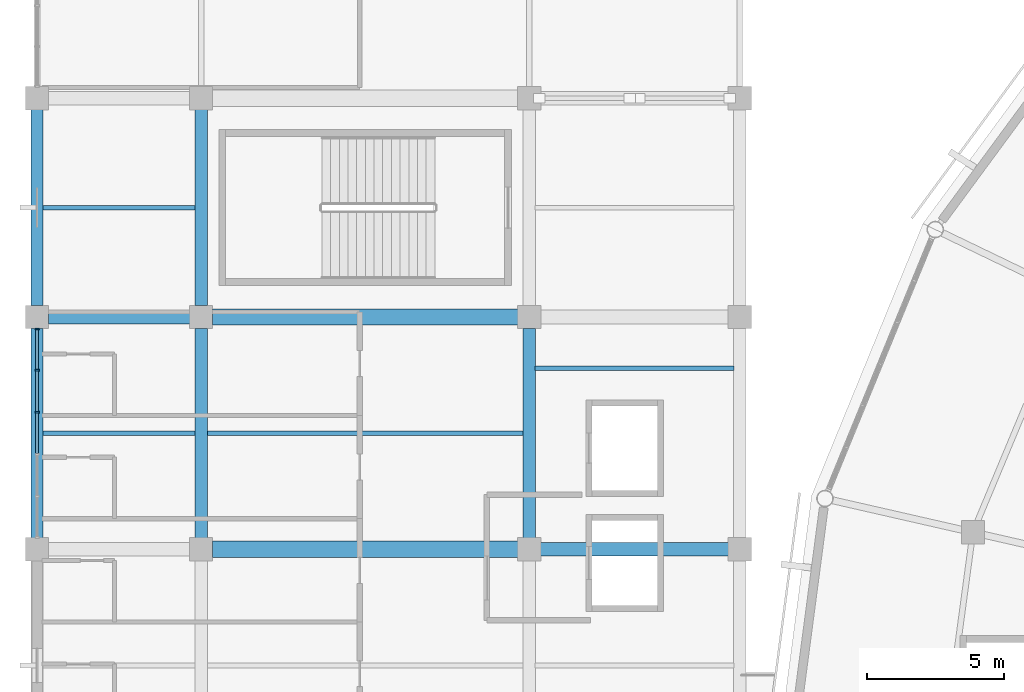
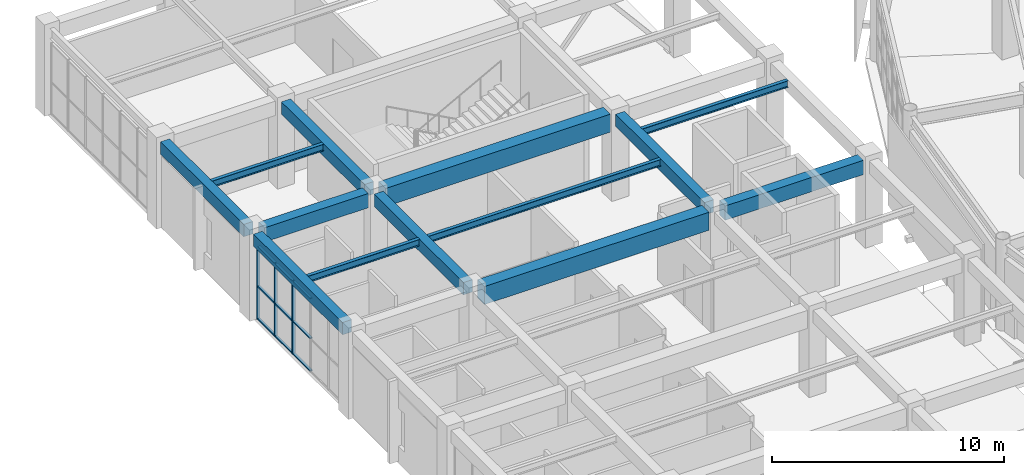
# One storey, part 36 of 112: 13 beams, 12 members, 1 element without a shape of its own.
"""IFC4 building model written with IfcOpenShell, lengths in metres."""

from ifc_helpers import new_model, si_unit, direction, frame, origin, origin_2d, place, context, subcontext, project, spatial, rectangle, i_section, extrude, material, material_profile, profile_set, type_object, element, aggregate, save


model = new_model("IFC4")

# Units and contexts
model_context = context("Model", 3, precision=1e-05, world=origin(), true_north=direction((0.0, 1.0)))
body_context = subcontext(model_context, "Body", "Model", "MODEL_VIEW")
ifc_project = project(units=[si_unit("LENGTHUNIT", "METRE"), si_unit("AREAUNIT", "SQUARE_METRE"), si_unit("VOLUMEUNIT", "CUBIC_METRE"), si_unit("PLANEANGLEUNIT", "RADIAN"), si_unit("MASSUNIT", "GRAM", prefix="KILO")], contexts=[model_context])

# Site, building, storey
site_placement = place(None, origin())
site = spatial("IfcSite", under=ifc_project, at=site_placement, CompositionType="ELEMENT")
building_placement = place(site_placement, origin())
building = spatial("IfcBuilding", under=site, at=building_placement, Name="Cuetzalor Civic Arena", CompositionType="ELEMENT")
storey_placement = place(building_placement, frame((0.0, 0.0, 11.39990234375)))
storey = spatial("IfcBuildingStorey", under=building, at=storey_placement, Name="L02", CompositionType="ELEMENT", Elevation=11.39990234375)

# Beams
ifc_material_1 = material(Name="Concrete C40/50", Category="concrete")
ifc_material_profile_1 = material_profile(ifc_material_1, rectangle(XDim=0.5, YDim=0.75, at=origin_2d()), Name="RC 500x750")
ifc_profile_set_1 = profile_set([ifc_material_profile_1], Name="Concrete C40/50")
beam_type_1 = type_object("IfcBeamType", Name="ConcreteFrameBeam_500x750", PredefinedType="BEAM", material=ifc_profile_set_1)
beam_1_placement = place(storey_placement, frame((-63.5849609375, 8.5, 4.14501953125), z_axis=(1.0, 0.0, 0.0), x_axis=(0.0, 1.0, 0.0)))
element("IfcBeam", 1, at=beam_1_placement, inside=storey, type_object=beam_type_1, Name="Frame Girder V4W-L02-X0648", PredefinedType="BEAM", context=body_context, shape_type="SweptSolid", body=[
    extrude(rectangle(XDim=0.5, YDim=0.75, at=origin_2d()), origin(), (0.0, 0.0, 1.0), 6.869873046875),
])
beam_2_placement = place(storey_placement, frame((-81.5849609375, 17.0, 4.14501953125), z_axis=(1.0, 0.0, 0.0), x_axis=(0.0, 1.0, 0.0)))
element("IfcBeam", 2, at=beam_2_placement, inside=storey, type_object=beam_type_1, Name="Frame Girder V4W-L02-X0649", PredefinedType="BEAM", context=body_context, shape_type="SweptSolid", body=[
    extrude(rectangle(XDim=0.5, YDim=0.75, at=origin_2d()), origin(), (0.0, 0.0, 1.0), 5.169921875),
])
ifc_material_2 = material(Name="Concrete C40/50", Category="concrete")
ifc_material_profile_2 = material_profile(ifc_material_2, rectangle(XDim=0.60009765625, YDim=0.949951171875, at=origin_2d()), Name="RC 600x950")
ifc_profile_set_2 = profile_set([ifc_material_profile_2], Name="Concrete C40/50")
beam_type_2 = type_object("IfcBeamType", Name="ConcreteFrameBeam_600x950", PredefinedType="BEAM", material=ifc_profile_set_2)
for number, where, z_axis, x_axis, name in (
    (3, (-75.5849609375, 8.5, 4.045166015625), (1.0, 0.0, 0.0), (0.0, 1.0, 0.0), "Frame Girder V4W-L02-X0647"),
    (4, (-75.5849609375, 17.0, 4.045166015625), (1.0, 0.0, 0.0), (0.0, 1.0, 0.0), "Frame Girder V4W-L02-X0650"),
):
    element("IfcBeam", number, at=place(storey_placement, frame(where, z_axis=z_axis, x_axis=x_axis)), inside=storey, type_object=beam_type_2, Name=name, PredefinedType="BEAM", context=body_context, shape_type="SweptSolid", body=[
        extrude(rectangle(XDim=0.60009765625, YDim=0.949951171875, at=origin_2d()), origin(), (0.0, 0.0, 1.0), 11.169921875),
    ])
ifc_material_3 = material(Name="Concrete C40/50", Category="concrete")
ifc_material_profile_3 = material_profile(ifc_material_3, rectangle(XDim=0.449951171875, YDim=0.64990234375, at=origin_2d()), Name="RC 450x650")
ifc_profile_set_3 = profile_set([ifc_material_profile_3], Name="Concrete C40/50")
beam_type_3 = type_object("IfcBeamType", Name="ConcreteTieBeam_450x650", PredefinedType="BEAM", material=ifc_profile_set_3)
beam_3_placement = place(storey_placement, frame((-82.0, 8.9150390625, 4.195068359375), z_axis=(0.0, 1.0, 0.0), x_axis=(-1.0, 0.0, 0.0)))
element("IfcBeam", 5, at=beam_3_placement, inside=storey, type_object=beam_type_3, Name="Frame Girder V4W-L02-Y0665", PredefinedType="BEAM", context=body_context, shape_type="SweptSolid", body=[
    extrude(rectangle(XDim=0.449951171875, YDim=0.64990234375, at=origin_2d()), origin(), (0.0, 0.0, 1.0), 7.669921875),
])
beam_4_placement = place(storey_placement, frame((-82.0, 17.4150390625, 4.195068359375), z_axis=(0.0, 1.0, 0.0), x_axis=(-1.0, 0.0, 0.0)))
element("IfcBeam", 6, at=beam_4_placement, inside=storey, type_object=beam_type_3, Name="Frame Girder V4W-L02-Y0666", PredefinedType="BEAM", context=body_context, shape_type="SweptSolid", body=[
    extrude(rectangle(XDim=0.449951171875, YDim=0.64990234375, at=origin_2d()), origin(), (0.0, 0.0, 1.0), 7.169921875),
])
beam_5_placement = place(storey_placement, frame((-76.0, 8.9150390625, 4.195068359375), z_axis=(0.0, 1.0, 0.0), x_axis=(-1.0, 0.0, 0.0)))
element("IfcBeam", 7, at=beam_5_placement, inside=storey, type_object=beam_type_3, Name="Frame Girder V4W-L02-Y0675", PredefinedType="BEAM", context=body_context, shape_type="SweptSolid", body=[
    extrude(rectangle(XDim=0.449951171875, YDim=0.64990234375, at=origin_2d()), origin(), (0.0, 0.0, 1.0), 7.669921875),
])
beam_6_placement = place(storey_placement, frame((-76.0, 17.4150390625, 4.195068359375), z_axis=(0.0, 1.0, 0.0), x_axis=(-1.0, 0.0, 0.0)))
element("IfcBeam", 8, at=beam_6_placement, inside=storey, type_object=beam_type_3, Name="Frame Girder V4W-L02-Y0676", PredefinedType="BEAM", context=body_context, shape_type="SweptSolid", body=[
    extrude(rectangle(XDim=0.449951171875, YDim=0.64990234375, at=origin_2d()), origin(), (0.0, 0.0, 1.0), 7.169921875),
])
beam_7_placement = place(storey_placement, frame((-64.0, 8.9150390625, 4.195068359375), z_axis=(0.0, 1.0, 0.0), x_axis=(-1.0, 0.0, 0.0)))
element("IfcBeam", 9, at=beam_7_placement, inside=storey, type_object=beam_type_3, Name="Frame Girder V4W-L02-Y0685", PredefinedType="BEAM", context=body_context, shape_type="SweptSolid", body=[
    extrude(rectangle(XDim=0.449951171875, YDim=0.64990234375, at=origin_2d()), origin(), (0.0, 0.0, 1.0), 7.669921875),
])

# Curtain wall, members
ifc_material_4 = material(Name="Anodised dark bronze aluminium and low-E solar glass", Category="aluminium")
curtain_wall_type = type_object("IfcCurtainWallType", Name="UnitisedCW_7700x3850", PredefinedType="USERDEFINED", material=ifc_material_4)
curtain_wall_placement = place(storey_placement, origin())
curtain_wall = element("IfcCurtainWall", 10, at=curtain_wall_placement, inside=storey, type_object=curtain_wall_type, Name="V4W Suite Viewing Curtain Wall L02-116", ObjectType="UNITISED CURTAIN WALL", PredefinedType="USERDEFINED")
ifc_material_5 = material(Name="Anodised dark bronze aluminium", Category="aluminium")
ifc_material_profile_4 = material_profile(ifc_material_5, rectangle(XDim=0.06494140625, YDim=0.14990234375, at=origin_2d()), Name="ALU MULLION 65x150")
ifc_profile_set_4 = profile_set([ifc_material_profile_4], Name="Anodised dark bronze aluminium")
member_type_1 = type_object("IfcMemberType", Name="CurtainWallMullion_60x150", PredefinedType="MULLION", material=ifc_profile_set_4)
member_1_placement = place(storey_placement, frame((-82.0, 13.5185546875, 0.0), z_axis=(0.0, 0.0, 1.0), x_axis=(0.0, 1.0, 0.0)))
member_1 = element("IfcMember", 11, at=member_1_placement, type_object=member_type_1, Name="CW-42 mullion 4", PredefinedType="MULLION", context=body_context, shape_type="SweptSolid", body=[
    extrude(rectangle(XDim=0.06494140625, YDim=0.14990234375, at=origin_2d()), origin(), (0.0, 0.0, 1.0), 3.860107421875),
])
member_2_placement = place(storey_placement, frame((-82.0, 15.055908203125, 0.0), z_axis=(0.0, 0.0, 1.0), x_axis=(0.0, 1.0, 0.0)))
member_2 = element("IfcMember", 12, at=member_2_placement, type_object=member_type_1, Name="CW-42 mullion 5", PredefinedType="MULLION", context=body_context, shape_type="SweptSolid", body=[
    extrude(rectangle(XDim=0.06494140625, YDim=0.14990234375, at=origin_2d()), origin(), (0.0, 0.0, 1.0), 3.860107421875),
])
member_3_placement = place(storey_placement, frame((-82.0, 16.560546875, 0.0), z_axis=(0.0, 0.0, 1.0), x_axis=(0.0, 1.0, 0.0)))
member_3 = element("IfcMember", 13, at=member_3_placement, type_object=member_type_1, Name="CW-42 mullion 6", PredefinedType="MULLION", context=body_context, shape_type="SweptSolid", body=[
    extrude(rectangle(XDim=0.06494140625, YDim=0.14990234375, at=origin_2d()), origin(), (0.0, 0.0, 1.0), 3.860107421875),
])
ifc_material_6 = material(Name="Anodised dark bronze aluminium", Category="aluminium")
ifc_material_profile_5 = material_profile(ifc_material_6, rectangle(XDim=0.1201171875, YDim=0.06494140625, at=origin_2d()), Name="ALU TRANSOM 65x120")
ifc_profile_set_5 = profile_set([ifc_material_profile_5], Name="Anodised dark bronze aluminium")
member_type_2 = type_object("IfcMemberType", Name="CurtainWallTransom_60x120", PredefinedType="USERDEFINED", material=ifc_profile_set_5)
member_4_placement = place(storey_placement, frame((-82.0, 12.013916015625, 0.03271484375), z_axis=(0.0, 1.0, 0.0), x_axis=(-1.0, 0.0, 0.0)))
member_4 = element("IfcMember", 14, at=member_4_placement, type_object=member_type_2, Name="CW-42 transom 3.1", ObjectType="TRANSOM", PredefinedType="USERDEFINED", context=body_context, shape_type="SweptSolid", body=[
    extrude(rectangle(XDim=0.1201171875, YDim=0.06494140625, at=origin_2d()), origin(), (0.0, 0.0, 1.0), 1.47216796875),
])
member_5_placement = place(storey_placement, frame((-82.0, 12.013916015625, 1.737060546875), z_axis=(0.0, 1.0, 0.0), x_axis=(-1.0, 0.0, 0.0)))
member_5 = element("IfcMember", 15, at=member_5_placement, type_object=member_type_2, Name="CW-42 transom 3.2", ObjectType="TRANSOM", PredefinedType="USERDEFINED", context=body_context, shape_type="SweptSolid", body=[
    extrude(rectangle(XDim=0.1201171875, YDim=0.06494140625, at=origin_2d()), origin(), (0.0, 0.0, 1.0), 1.47216796875),
])
member_6_placement = place(storey_placement, frame((-82.0, 12.013916015625, 3.82763671875), z_axis=(0.0, 1.0, 0.0), x_axis=(-1.0, 0.0, 0.0)))
member_6 = element("IfcMember", 16, at=member_6_placement, type_object=member_type_2, Name="CW-42 transom 3.3", ObjectType="TRANSOM", PredefinedType="USERDEFINED", context=body_context, shape_type="SweptSolid", body=[
    extrude(rectangle(XDim=0.1201171875, YDim=0.06494140625, at=origin_2d()), origin(), (0.0, 0.0, 1.0), 1.47216796875),
])
member_7_placement = place(storey_placement, frame((-82.0, 13.551025390625, 0.03271484375), z_axis=(0.0, 1.0, 0.0), x_axis=(-1.0, 0.0, 0.0)))
member_7 = element("IfcMember", 17, at=member_7_placement, type_object=member_type_2, Name="CW-42 transom 4.1", ObjectType="TRANSOM", PredefinedType="USERDEFINED", context=body_context, shape_type="SweptSolid", body=[
    extrude(rectangle(XDim=0.1201171875, YDim=0.06494140625, at=origin_2d()), origin(), (0.0, 0.0, 1.0), 1.47216796875),
])
member_8_placement = place(storey_placement, frame((-82.0, 13.551025390625, 1.737060546875), z_axis=(0.0, 1.0, 0.0), x_axis=(-1.0, 0.0, 0.0)))
member_8 = element("IfcMember", 18, at=member_8_placement, type_object=member_type_2, Name="CW-42 transom 4.2", ObjectType="TRANSOM", PredefinedType="USERDEFINED", context=body_context, shape_type="SweptSolid", body=[
    extrude(rectangle(XDim=0.1201171875, YDim=0.06494140625, at=origin_2d()), origin(), (0.0, 0.0, 1.0), 1.47216796875),
])
member_9_placement = place(storey_placement, frame((-82.0, 13.551025390625, 3.82763671875), z_axis=(0.0, 1.0, 0.0), x_axis=(-1.0, 0.0, 0.0)))
member_9 = element("IfcMember", 19, at=member_9_placement, type_object=member_type_2, Name="CW-42 transom 4.3", ObjectType="TRANSOM", PredefinedType="USERDEFINED", context=body_context, shape_type="SweptSolid", body=[
    extrude(rectangle(XDim=0.1201171875, YDim=0.06494140625, at=origin_2d()), origin(), (0.0, 0.0, 1.0), 1.47216796875),
])
member_10_placement = place(storey_placement, frame((-82.0, 15.08837890625, 0.03271484375), z_axis=(0.0, 1.0, 0.0), x_axis=(-1.0, 0.0, 0.0)))
member_10 = element("IfcMember", 20, at=member_10_placement, type_object=member_type_2, Name="CW-42 transom 5.1", ObjectType="TRANSOM", PredefinedType="USERDEFINED", context=body_context, shape_type="SweptSolid", body=[
    extrude(rectangle(XDim=0.1201171875, YDim=0.06494140625, at=origin_2d()), origin(), (0.0, 0.0, 1.0), 1.439697265625),
])
member_11_placement = place(storey_placement, frame((-82.0, 15.08837890625, 1.737060546875), z_axis=(0.0, 1.0, 0.0), x_axis=(-1.0, 0.0, 0.0)))
member_11 = element("IfcMember", 21, at=member_11_placement, type_object=member_type_2, Name="CW-42 transom 5.2", ObjectType="TRANSOM", PredefinedType="USERDEFINED", context=body_context, shape_type="SweptSolid", body=[
    extrude(rectangle(XDim=0.1201171875, YDim=0.06494140625, at=origin_2d()), origin(), (0.0, 0.0, 1.0), 1.439697265625),
])
member_12_placement = place(storey_placement, frame((-82.0, 15.08837890625, 3.82763671875), z_axis=(0.0, 1.0, 0.0), x_axis=(-1.0, 0.0, 0.0)))
member_12 = element("IfcMember", 22, at=member_12_placement, type_object=member_type_2, Name="CW-42 transom 5.3", ObjectType="TRANSOM", PredefinedType="USERDEFINED", context=body_context, shape_type="SweptSolid", body=[
    extrude(rectangle(XDim=0.1201171875, YDim=0.06494140625, at=origin_2d()), origin(), (0.0, 0.0, 1.0), 1.439697265625),
])
aggregate(curtain_wall, [member_1, member_2, member_3, member_4, member_5, member_6, member_7, member_8, member_9, member_10, member_11, member_12])

# Beams
ifc_material_7 = material(Name="Steel S355", Category="steel")
ifc_material_profile_6 = material_profile(ifc_material_7, i_section(OverallWidth=0.1708984375, OverallDepth=0.35498046875, WebThickness=0.007080078125, FlangeThickness=0.01171875, at=origin_2d()), Name="W360x51")
ifc_profile_set_6 = profile_set([ifc_material_profile_6], Name="Steel S355")
beam_type_4 = type_object("IfcBeamType", Name="SecondaryFloorJoist_W360", PredefinedType="JOIST", material=ifc_profile_set_6)
for number, where, z_axis, x_axis, name in (
    (23, (-81.782958984375, 12.75, 4.342529296875), (1.0, 0.0, 0.0), (0.0, 1.0, 0.0), "Secondary Floor Joist V4W-L02-0196"),
    (24, (-81.782958984375, 21.0, 4.342529296875), (1.0, 0.0, 0.0), (0.0, 1.0, 0.0), "Secondary Floor Joist V4W-L02-0197"),
):
    element("IfcBeam", number, at=place(storey_placement, frame(where, z_axis=z_axis, x_axis=x_axis)), inside=storey, type_object=beam_type_4, Name=name, PredefinedType="JOIST", context=body_context, shape_type="SweptSolid", body=[
        extrude(i_section(OverallWidth=0.1708984375, OverallDepth=0.35498046875, WebThickness=0.007080078125, FlangeThickness=0.01171875, at=origin_2d()), origin(), (0.0, 0.0, 1.0), 5.56591796875),
    ])
beam_8_placement = place(storey_placement, frame((-75.782958984375, 12.75, 4.342529296875), z_axis=(1.0, 0.0, 0.0), x_axis=(0.0, 1.0, 0.0)))
element("IfcBeam", 25, at=beam_8_placement, inside=storey, type_object=beam_type_4, Name="Secondary Floor Joist V4W-L02-0204", PredefinedType="JOIST", context=body_context, shape_type="SweptSolid", body=[
    extrude(i_section(OverallWidth=0.1708984375, OverallDepth=0.35498046875, WebThickness=0.007080078125, FlangeThickness=0.01171875, at=origin_2d()), origin(), (0.0, 0.0, 1.0), 11.56591796875),
])
beam_9_placement = place(storey_placement, frame((-63.782958984375, 15.1298828125, 4.342529296875), z_axis=(1.0, 0.0, 0.0), x_axis=(0.0, 1.0, 0.0)))
element("IfcBeam", 26, at=beam_9_placement, inside=storey, type_object=beam_type_4, Name="Secondary Floor Joist V4W-L02-0212", PredefinedType="JOIST", context=body_context, shape_type="SweptSolid", body=[
    extrude(i_section(OverallWidth=0.1708984375, OverallDepth=0.35498046875, WebThickness=0.007080078125, FlangeThickness=0.01171875, at=origin_2d()), origin(), (0.0, 0.0, 1.0), 7.265869140625),
])

save(model, "model.ifc")
